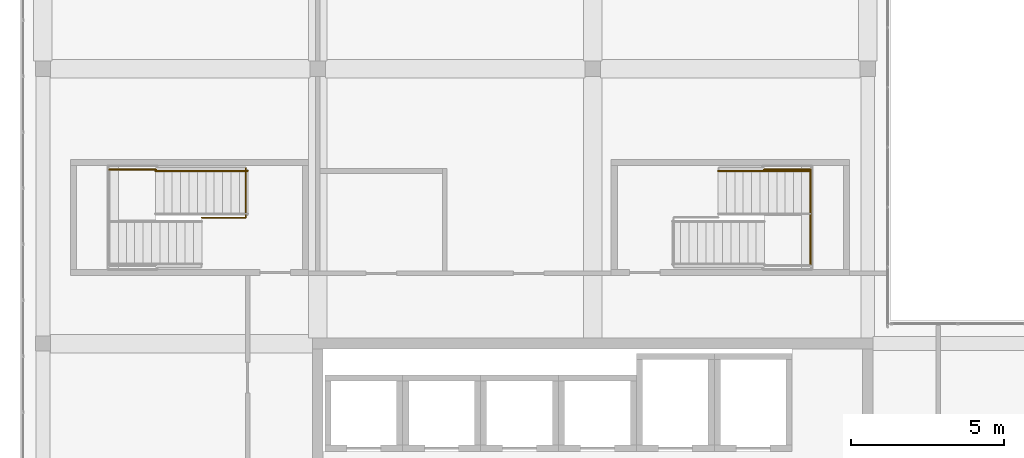
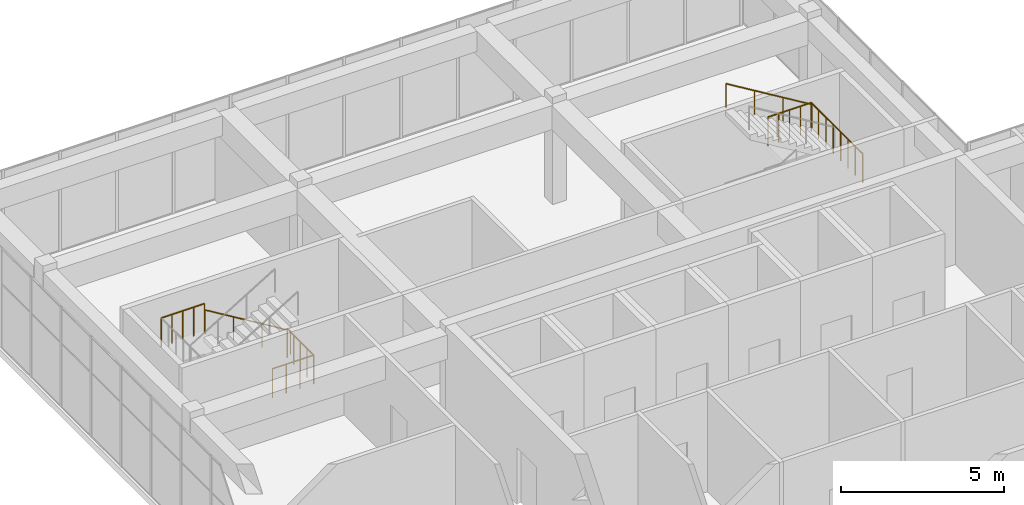
# One storey, part 34 of 34: 6 railings.
"""IFC4 building model written with IfcOpenShell, lengths in metres."""

from ifc_helpers import new_model, si_unit, direction, frame, origin, origin_2d, place, context, subcontext, project, spatial, circle, extrude, material, type_object, element, save


model = new_model("IFC4")

# Units and contexts
model_context = context("Model", 3, precision=1e-05, world=origin(), true_north=direction((0.0, 1.0)))
body_context = subcontext(model_context, "Body", "Model", "MODEL_VIEW")
ifc_project = project(units=[si_unit("LENGTHUNIT", "METRE"), si_unit("AREAUNIT", "SQUARE_METRE"), si_unit("VOLUMEUNIT", "CUBIC_METRE"), si_unit("PLANEANGLEUNIT", "RADIAN"), si_unit("MASSUNIT", "GRAM", prefix="KILO")], contexts=[model_context])

# Site, building, storey
site_placement = place(None, origin())
site = spatial("IfcSite", under=ifc_project, at=site_placement, CompositionType="ELEMENT")
building_placement = place(site_placement, origin())
building = spatial("IfcBuilding", under=site, at=building_placement, Name="Tuart Plaza Theatre", CompositionType="ELEMENT")
storey_placement = place(building_placement, frame((0.0, 0.0, 57.5)))
storey = spatial("IfcBuildingStorey", under=building, at=storey_placement, Name="L14", CompositionType="ELEMENT", Elevation=57.5)

# Railings
ifc_material_1 = material(Name="Steel Grade C350L0", Category="steel")
railing_type_1 = type_object("IfcRailingType", Name="RAILING Guard 1100", PredefinedType="GUARDRAIL", material=ifc_material_1)
railing_1_placement = place(storey_placement, frame((139.1298828125, 85.550048828125, 2.0)))
element("IfcRailing", 1, at=railing_1_placement, inside=storey, type_object=railing_type_1, Name="GR351", PredefinedType="GUARDRAIL", context=body_context, shape_type="SweptSolid", body=[
    extrude(circle(Radius=0.02490234375, at=origin_2d()), frame((0.0, 0.0, 1.0751953125), z_axis=(0.0, 1.0, 0.0), x_axis=(-1.0, 0.0, 0.0)), (0.0, 0.0, 1.0), 3.14990234375),
    extrude(circle(Radius=0.02001953125, at=origin_2d()), origin(), (0.0, 0.0, 1.0), 1.050048828125),
    extrude(circle(Radius=0.02001953125, at=origin_2d()), frame((0.0, 0.449951171875, 0.0)), (0.0, 0.0, 1.0), 1.050048828125),
    extrude(circle(Radius=0.02001953125, at=origin_2d()), frame((0.0, 0.89990234375, 0.0)), (0.0, 0.0, 1.0), 1.050048828125),
    extrude(circle(Radius=0.02001953125, at=origin_2d()), frame((0.0, 1.349853515625, 0.0)), (0.0, 0.0, 1.0), 1.050048828125),
    extrude(circle(Radius=0.02001953125, at=origin_2d()), frame((0.0, 1.800048828125, 0.0)), (0.0, 0.0, 1.0), 1.050048828125),
    extrude(circle(Radius=0.02001953125, at=origin_2d()), frame((0.0, 2.25, 0.0)), (0.0, 0.0, 1.0), 1.050048828125),
    extrude(circle(Radius=0.02001953125, at=origin_2d()), frame((0.0, 2.699951171875, 0.0)), (0.0, 0.0, 1.0), 1.050048828125),
    extrude(circle(Radius=0.02001953125, at=origin_2d()), frame((0.0, 3.14990234375, 0.0)), (0.0, 0.0, 1.0), 1.050048828125),
])
railing_2_placement = place(storey_placement, frame((139.1298828125, 88.699951171875, 2.0)))
element("IfcRailing", 2, at=railing_2_placement, inside=storey, type_object=railing_type_1, Name="GR352", PredefinedType="GUARDRAIL", context=body_context, shape_type="SweptSolid", body=[
    extrude(circle(Radius=0.02490234375, at=origin_2d()), frame((0.0, 0.0, 1.0751953125), z_axis=(-1.0, 0.0, 0.0), x_axis=(0.0, -1.0, 0.0)), (0.0, 0.0, 1.0), 1.52978515625),
    extrude(circle(Radius=0.02001953125, at=origin_2d()), origin(), (0.0, 0.0, 1.0), 1.050048828125),
    extrude(circle(Radius=0.02001953125, at=origin_2d()), frame((-0.38232421875, 0.0, 0.0)), (0.0, 0.0, 1.0), 1.050048828125),
    extrude(circle(Radius=0.02001953125, at=origin_2d()), frame((-0.764892578125, 0.0, 0.0)), (0.0, 0.0, 1.0), 1.050048828125),
    extrude(circle(Radius=0.02001953125, at=origin_2d()), frame((-1.1474609375, 0.0, 0.0)), (0.0, 0.0, 1.0), 1.050048828125),
    extrude(circle(Radius=0.02001953125, at=origin_2d()), frame((-1.52978515625, 0.0, 0.0)), (0.0, 0.0, 1.0), 1.050048828125),
])
railing_3_placement = place(storey_placement, frame((120.64501953125, 88.75, 0.0)))
element("IfcRailing", 3, at=railing_3_placement, inside=storey, type_object=railing_type_1, Name="GR422", PredefinedType="GUARDRAIL", context=body_context, shape_type="SweptSolid", body=[
    extrude(circle(Radius=0.02490234375, at=origin_2d()), frame((0.0, 0.0, 1.0751953125), z_axis=(0.0, -1.0, 0.0), x_axis=(1.0, 0.0, 0.0)), (0.0, 0.0, 1.0), 1.625),
    extrude(circle(Radius=0.02490234375, at=origin_2d()), frame((0.0, -1.625, 1.0751953125), z_axis=(-1.0, 0.0, 0.0), x_axis=(0.0, -1.0, 0.0)), (0.0, 0.0, 1.0), 1.455078125),
    extrude(circle(Radius=0.02001953125, at=origin_2d()), origin(), (0.0, 0.0, 1.0), 1.050048828125),
    extrude(circle(Radius=0.02001953125, at=origin_2d()), frame((0.0, -0.40625, 0.0)), (0.0, 0.0, 1.0), 1.050048828125),
    extrude(circle(Radius=0.02001953125, at=origin_2d()), frame((0.0, -0.8125, 0.0)), (0.0, 0.0, 1.0), 1.050048828125),
    extrude(circle(Radius=0.02001953125, at=origin_2d()), frame((0.0, -1.21875, 0.0)), (0.0, 0.0, 1.0), 1.050048828125),
    extrude(circle(Radius=0.02001953125, at=origin_2d()), frame((0.0, -1.625, 0.0)), (0.0, 0.0, 1.0), 1.050048828125),
    extrude(circle(Radius=0.02001953125, at=origin_2d()), frame((-0.485107421875, -1.625, 0.0)), (0.0, 0.0, 1.0), 1.050048828125),
    extrude(circle(Radius=0.02001953125, at=origin_2d()), frame((-0.969970703125, -1.625, 0.0)), (0.0, 0.0, 1.0), 1.050048828125),
    extrude(circle(Radius=0.02001953125, at=origin_2d()), frame((-1.455078125, -1.625, 0.0)), (0.0, 0.0, 1.0), 1.050048828125),
])
railing_4_placement = place(storey_placement, frame((117.699951171875, 88.699951171875, 2.0)))
element("IfcRailing", 4, at=railing_4_placement, inside=storey, type_object=railing_type_1, Name="GR429", PredefinedType="GUARDRAIL", context=body_context, shape_type="SweptSolid", body=[
    extrude(circle(Radius=0.02490234375, at=origin_2d()), frame((0.0, 0.0, 1.0751953125), z_axis=(-1.0, 0.0, 0.0), x_axis=(0.0, -1.0, 0.0)), (0.0, 0.0, 1.0), 1.530029296875),
    extrude(circle(Radius=0.02001953125, at=origin_2d()), origin(), (0.0, 0.0, 1.0), 1.050048828125),
    extrude(circle(Radius=0.02001953125, at=origin_2d()), frame((-0.382568359375, 0.0, 0.0)), (0.0, 0.0, 1.0), 1.050048828125),
    extrude(circle(Radius=0.02001953125, at=origin_2d()), frame((-0.76513671875, 0.0, 0.0)), (0.0, 0.0, 1.0), 1.050048828125),
    extrude(circle(Radius=0.02001953125, at=origin_2d()), frame((-1.1474609375, 0.0, 0.0)), (0.0, 0.0, 1.0), 1.050048828125),
    extrude(circle(Radius=0.02001953125, at=origin_2d()), frame((-1.530029296875, 0.0, 0.0)), (0.0, 0.0, 1.0), 1.050048828125),
])
ifc_material_2 = material(Name="Steel Grade C350L0", Category="steel")
railing_type_2 = type_object("IfcRailingType", Name="RAILING Handrail 900", PredefinedType="HANDRAIL", material=ifc_material_2)
for number, where, name in (
    (5, (139.1201171875, 88.64990234375, 2.166748046875), "HR238"),
    (6, (120.705078125, 88.64990234375, 0.166748046875), "HR300"),
):
    element("IfcRailing", number, at=place(storey_placement, frame(where)), inside=storey, type_object=railing_type_2, Name=name, PredefinedType="HANDRAIL", context=body_context, shape_type="SweptSolid", body=[
        extrude(circle(Radius=0.0224609375, at=origin_2d()), frame((0.0, 0.0, 0.87744140625), z_axis=(-0.855219153138, 0.0, 0.518266533848), x_axis=(0.0, -1.0, 0.0)), (0.0, 0.0, 1.0), 3.537353515625),
        extrude(circle(Radius=0.01513671875, at=origin_2d()), origin(), (0.0, 0.0, 1.0), 0.85498046875),
        extrude(circle(Radius=0.01513671875, at=origin_2d()), frame((-1.00830078125, 0.0, 0.611083984375)), (0.0, 0.0, 1.0), 0.85498046875),
        extrude(circle(Radius=0.01513671875, at=origin_2d()), frame((-2.016845703125, 0.0, 1.22216796875)), (0.0, 0.0, 1.0), 0.85498046875),
        extrude(circle(Radius=0.01513671875, at=origin_2d()), frame((-3.025146484375, 0.0, 1.833251953125)), (0.0, 0.0, 1.0), 0.85498046875),
    ])

save(model, "model.ifc")
